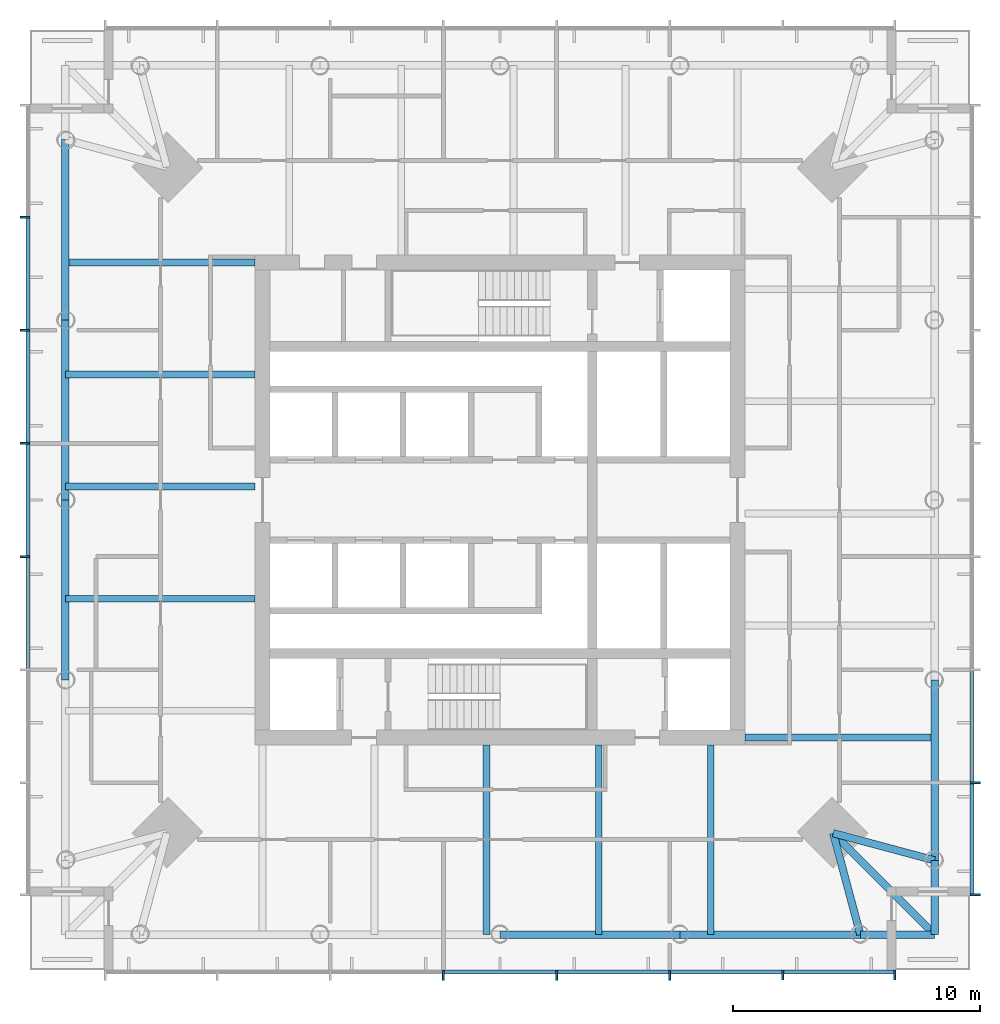
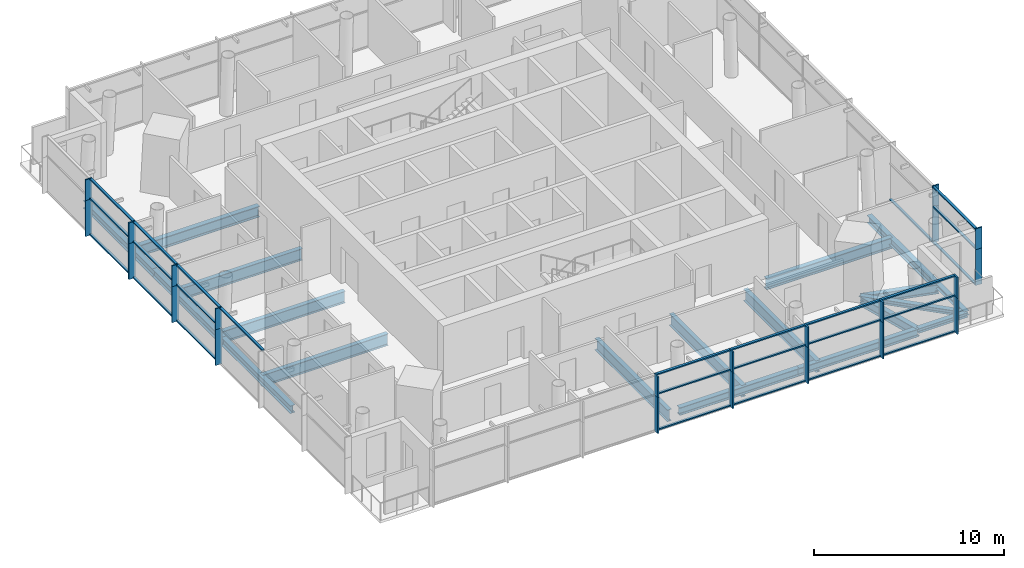
# One storey, part 2 of 10: 48 members, 19 beams, 6 elements without a shape of their own.
"""IFC4 building model written with IfcOpenShell, lengths in metres."""

from ifc_helpers import new_model, si_unit, direction, frame, origin, origin_2d, place, context, subcontext, project, spatial, rectangle, i_section, extrude, material, material_profile, profile_set, type_object, element, aggregate, save


model = new_model("IFC4")

# Units and contexts
model_context = context("Model", 3, precision=1e-05, world=origin(), true_north=direction((0.0, 1.0)))
body_context = subcontext(model_context, "Body", "Model", "MODEL_VIEW")
ifc_project = project(units=[si_unit("LENGTHUNIT", "METRE"), si_unit("AREAUNIT", "SQUARE_METRE"), si_unit("VOLUMEUNIT", "CUBIC_METRE"), si_unit("PLANEANGLEUNIT", "RADIAN"), si_unit("MASSUNIT", "GRAM", prefix="KILO")], contexts=[model_context])

# Site, building, storey
site_placement = place(None, origin())
site = spatial("IfcSite", under=ifc_project, at=site_placement, CompositionType="ELEMENT")
building_placement = place(site_placement, origin())
building = spatial("IfcBuilding", under=site, at=building_placement, Name="Ostroluk Exchange", CompositionType="ELEMENT")
storey_placement = place(building_placement, frame((0.0, 0.0, 222.39990234375)))
storey = spatial("IfcBuildingStorey", under=building, at=storey_placement, Name="L57", CompositionType="ELEMENT", Elevation=222.39990234375)

# Beams
ifc_material_1 = material(Name="Steel S355", Category="steel")
ifc_material_profile_1 = material_profile(ifc_material_1, i_section(OverallWidth=0.300048828125, OverallDepth=0.300048828125, WebThickness=0.010986328125, FlangeThickness=0.01904296875, FilletRadius=0.027099609375, at=origin_2d()), Name="HEB 300")
ifc_profile_set_1 = profile_set([ifc_material_profile_1], Name="Steel S355")
beam_type_1 = type_object("IfcBeamType", Name="Balcony beam HEB 300", PredefinedType="BEAM", material=ifc_profile_set_1)
for number, where, z_axis, x_axis, name in (
    (1, (59.564208984375, 28.435791015625, -0.329833984375), (1.0, 0.0, 0.0), (0.0, 1.0, 0.0), "T1 south balcony beam a"),
    (2, (62.564208984375, 31.435791015625, -0.329833984375), (0.0, -1.0, 0.0), (1.0, 0.0, 0.0), "T1 south balcony beam b"),
):
    element("IfcBeam", number, at=place(storey_placement, frame(where, z_axis=z_axis, x_axis=x_axis)), inside=storey, type_object=beam_type_1, Name=name, PredefinedType="BEAM", context=body_context, shape_type="SweptSolid", body=[
        extrude(i_section(OverallWidth=0.300048828125, OverallDepth=0.300048828125, WebThickness=0.010986328125, FlangeThickness=0.01904296875, FilletRadius=0.027099609375, at=origin_2d()), origin(), (0.0, 0.0, 1.0), 3.0),
    ])
beam_1_placement = place(storey_placement, frame((58.46435546875, 32.53564453125, -0.329833984375), z_axis=(0.707106781187, -0.707106781187, 0.0), x_axis=(0.707106781187, 0.707106781187, 0.0)))
element("IfcBeam", 3, at=beam_1_placement, inside=storey, type_object=beam_type_1, Name="T1 south balcony beam c", PredefinedType="BEAM", context=body_context, shape_type="SweptSolid", body=[
    extrude(i_section(OverallWidth=0.300048828125, OverallDepth=0.300048828125, WebThickness=0.010986328125, FlangeThickness=0.01904296875, FilletRadius=0.027099609375, at=origin_2d()), origin(), (0.0, 0.0, 1.0), 5.798095703125),
])
ifc_material_2 = material(Name="Steel S355", Category="steel")
ifc_material_profile_2 = material_profile(ifc_material_2, i_section(OverallWidth=0.300048828125, OverallDepth=0.60009765625, WebThickness=0.015380859375, FlangeThickness=0.030029296875, FilletRadius=0.027099609375, at=origin_2d()), Name="HEB 600")
ifc_profile_set_2 = profile_set([ifc_material_profile_2], Name="Steel S355")
beam_type_2 = type_object("IfcBeamType", Name="Corner edge beam HEB 600", PredefinedType="SPANDREL", material=ifc_profile_set_2)
for number, where, z_axis, x_axis, name in (
    (4, (58.46435546875, 32.53564453125, -0.47998046875), (0.259105011038, -0.965849156574, 0.0), (0.965849156574, 0.259105011038, 0.0), "T1 south corner edge beam a"),
    (5, (58.46435546875, 32.53564453125, -0.47998046875), (0.965849156574, -0.259105011038, 0.0), (0.259105011038, 0.965849156574, 0.0), "T1 south corner edge beam b"),
):
    element("IfcBeam", number, at=place(storey_placement, frame(where, z_axis=z_axis, x_axis=x_axis)), inside=storey, type_object=beam_type_2, Name=name, PredefinedType="SPANDREL", context=body_context, shape_type="SweptSolid", body=[
        extrude(i_section(OverallWidth=0.300048828125, OverallDepth=0.60009765625, WebThickness=0.015380859375, FlangeThickness=0.030029296875, FilletRadius=0.027099609375, at=origin_2d()), origin(), (0.0, 0.0, 1.0), 4.244873046875),
    ])
ifc_material_3 = material(Name="Steel S355", Category="steel")
ifc_material_profile_3 = material_profile(ifc_material_3, i_section(OverallWidth=0.264892578125, OverallDepth=0.7529296875, WebThickness=0.01318359375, FlangeThickness=0.01708984375, FilletRadius=0.01708984375, at=origin_2d()), Name="IPE 750x147")
ifc_profile_set_3 = profile_set([ifc_material_profile_3], Name="Steel S355")
beam_type_3 = type_object("IfcBeamType", Name="Floor beam IPE 750x147", PredefinedType="BEAM", material=ifc_profile_set_3)
for number, where, z_axis, x_axis, name in (
    (6, (35.10009765625, 51.072509765625, -0.556396484375), (-1.0, 0.0, 0.0), (0.0, -1.0, 0.0), "T1 west floor beam 1"),
    (7, (35.10009765625, 46.545166015625, -0.556396484375), (-1.0, 0.0, 0.0), (0.0, -1.0, 0.0), "T1 west floor beam 2"),
    (8, (35.10009765625, 42.017822265625, -0.556396484375), (-1.0, 0.0, 0.0), (0.0, -1.0, 0.0), "T1 west floor beam 3"),
    (9, (44.454833984375, 36.10009765625, -0.556396484375), (0.0, -1.0, 0.0), (1.0, 0.0, 0.0), "T1 south floor beam 2"),
    (10, (48.982177734375, 36.10009765625, -0.556396484375), (0.0, -1.0, 0.0), (1.0, 0.0, 0.0), "T1 south floor beam 3"),
    (11, (53.509521484375, 36.10009765625, -0.556396484375), (0.0, -1.0, 0.0), (1.0, 0.0, 0.0), "T1 south floor beam 4"),
):
    element("IfcBeam", number, at=place(storey_placement, frame(where, z_axis=z_axis, x_axis=x_axis)), inside=storey, type_object=beam_type_3, Name=name, PredefinedType="BEAM", context=body_context, shape_type="SweptSolid", body=[
        extrude(i_section(OverallWidth=0.264892578125, OverallDepth=0.7529296875, WebThickness=0.01318359375, FlangeThickness=0.01708984375, FilletRadius=0.01708984375, at=origin_2d()), origin(), (0.0, 0.0, 1.0), 7.664306640625),
    ])
ifc_material_4 = material(Name="Steel S355", Category="steel")
ifc_material_profile_4 = material_profile(ifc_material_4, i_section(OverallWidth=0.300048828125, OverallDepth=0.699951171875, WebThickness=0.01708984375, FlangeThickness=0.031982421875, FilletRadius=0.027099609375, at=origin_2d()), Name="HEB 700")
ifc_profile_set_4 = profile_set([ifc_material_profile_4], Name="Steel S355")
beam_type_4 = type_object("IfcBeamType", Name="Girder HEB 700", PredefinedType="BEAM", material=ifc_profile_set_4)
for number, where, z_axis, x_axis, name in (
    (12, (35.10009765625, 55.60009765625, -0.52978515625), (-1.0, 0.0, 0.0), (0.0, -1.0, 0.0), "T1 north girder"),
    (13, (54.89990234375, 36.39990234375, -0.52978515625), (1.0, 0.0, 0.0), (0.0, 1.0, 0.0), "T1 south girder"),
):
    element("IfcBeam", number, at=place(storey_placement, frame(where, z_axis=z_axis, x_axis=x_axis)), inside=storey, type_object=beam_type_4, Name=name, PredefinedType="BEAM", context=body_context, shape_type="SweptSolid", body=[
        extrude(i_section(OverallWidth=0.300048828125, OverallDepth=0.699951171875, WebThickness=0.01708984375, FlangeThickness=0.031982421875, FilletRadius=0.027099609375, at=origin_2d()), origin(), (0.0, 0.0, 1.0), 7.664306640625),
    ])
ifc_material_5 = material(Name="Steel S355", Category="steel")
ifc_material_profile_5 = material_profile(ifc_material_5, i_section(OverallWidth=0.300048828125, OverallDepth=0.5, WebThickness=0.014404296875, FlangeThickness=0.028076171875, FilletRadius=0.027099609375, at=origin_2d()), Name="HEB 500")
ifc_profile_set_5 = profile_set([ifc_material_profile_5], Name="Steel S355")
beam_type_5 = type_object("IfcBeamType", Name="Moment-connected edge beam HEB 500", PredefinedType="SPANDREL", material=ifc_profile_set_5)
for number, where, z_axis, x_axis, name in (
    (14, (62.564208984375, 31.435791015625, -0.429931640625), (0.0, 1.0, 0.0), (-1.0, 0.0, 0.0), "T1 east edge beam 1"),
    (15, (27.435791015625, 60.564208984375, -0.429931640625), (0.0, -1.0, 0.0), (1.0, 0.0, 0.0), "T1 west edge beam 1"),
):
    element("IfcBeam", number, at=place(storey_placement, frame(where, z_axis=z_axis, x_axis=x_axis)), inside=storey, type_object=beam_type_5, Name=name, PredefinedType="SPANDREL", context=body_context, shape_type="SweptSolid", body=[
        extrude(i_section(OverallWidth=0.300048828125, OverallDepth=0.5, WebThickness=0.014404296875, FlangeThickness=0.028076171875, FilletRadius=0.027099609375, at=origin_2d()), origin(), (0.0, 0.0, 1.0), 7.281982421875),
    ])
for number, where, z_axis, x_axis, name in (
    (16, (27.435791015625, 53.2822265625, -0.429931640625), (0.0, -1.0, 0.0), (1.0, 0.0, 0.0), "T1 west edge beam 2"),
    (17, (27.435791015625, 46.0, -0.429931640625), (0.0, -1.0, 0.0), (1.0, 0.0, 0.0), "T1 west edge beam 3"),
    (18, (45.0, 28.435791015625, -0.429931640625), (1.0, 0.0, 0.0), (0.0, 1.0, 0.0), "T1 south edge beam 3"),
):
    element("IfcBeam", number, at=place(storey_placement, frame(where, z_axis=z_axis, x_axis=x_axis)), inside=storey, type_object=beam_type_5, Name=name, PredefinedType="SPANDREL", context=body_context, shape_type="SweptSolid", body=[
        extrude(i_section(OverallWidth=0.300048828125, OverallDepth=0.5, WebThickness=0.014404296875, FlangeThickness=0.028076171875, FilletRadius=0.027099609375, at=origin_2d()), origin(), (0.0, 0.0, 1.0), 7.2822265625),
    ])
beam_2_placement = place(storey_placement, frame((52.2822265625, 28.435791015625, -0.429931640625), z_axis=(1.0, 0.0, 0.0), x_axis=(0.0, 1.0, 0.0)))
element("IfcBeam", 19, at=beam_2_placement, inside=storey, type_object=beam_type_5, Name="T1 south edge beam 4", PredefinedType="SPANDREL", context=body_context, shape_type="SweptSolid", body=[
    extrude(i_section(OverallWidth=0.300048828125, OverallDepth=0.5, WebThickness=0.014404296875, FlangeThickness=0.028076171875, FilletRadius=0.027099609375, at=origin_2d()), origin(), (0.0, 0.0, 1.0), 7.281982421875),
])

# Curtain wall, members
ifc_material_6 = material(Name="Laminated clear glass", Category="glass")
curtain_wall_type = type_object("IfcCurtainWallType", Name="Office tower facade", PredefinedType="USERDEFINED", material=ifc_material_6)
curtain_wall_1_placement = place(storey_placement, origin())
curtain_wall_1 = element("IfcCurtainWall", 20, at=curtain_wall_1_placement, inside=storey, type_object=curtain_wall_type, Name="Office tower south facade L57", ObjectType="UNITISED CURTAIN WALL", PredefinedType="USERDEFINED")
ifc_material_7 = material(Name="Aluminium mullion", Category="aluminium")
ifc_material_profile_6 = material_profile(ifc_material_7, rectangle(XDim=0.14990234375, YDim=0.080078125, at=origin_2d()), Name="Sill transom 80 x 150")
ifc_profile_set_6 = profile_set([ifc_material_profile_6], Name="Aluminium mullion")
member_type_1 = type_object("IfcMemberType", Name="Sill transom 80 x 150", PredefinedType="USERDEFINED", material=ifc_profile_set_6)
member_1_placement = place(storey_placement, frame((42.75439453125, 26.925048828125, 0.0400390625), z_axis=(1.0, 0.0, 0.0), x_axis=(0.0, 1.0, 0.0)))
member_1 = element("IfcMember", 21, at=member_1_placement, type_object=member_type_1, Name="CW-O1 transom 4.1", ObjectType="TRANSOM", PredefinedType="USERDEFINED", context=body_context, shape_type="SweptSolid", body=[
    extrude(rectangle(XDim=0.14990234375, YDim=0.080078125, at=origin_2d()), origin(), (0.0, 0.0, 1.0), 4.4912109375),
])
member_2_placement = place(storey_placement, frame((47.32568359375, 26.925048828125, 0.0400390625), z_axis=(1.0, 0.0, 0.0), x_axis=(0.0, 1.0, 0.0)))
member_2 = element("IfcMember", 22, at=member_2_placement, type_object=member_type_1, Name="CW-O1 transom 5.1", ObjectType="TRANSOM", PredefinedType="USERDEFINED", context=body_context, shape_type="SweptSolid", body=[
    extrude(rectangle(XDim=0.14990234375, YDim=0.080078125, at=origin_2d()), origin(), (0.0, 0.0, 1.0), 4.491455078125),
])
member_3_placement = place(storey_placement, frame((51.897216796875, 26.925048828125, 0.0400390625), z_axis=(1.0, 0.0, 0.0), x_axis=(0.0, 1.0, 0.0)))
member_3 = element("IfcMember", 23, at=member_3_placement, type_object=member_type_1, Name="CW-O1 transom 6.1", ObjectType="TRANSOM", PredefinedType="USERDEFINED", context=body_context, shape_type="SweptSolid", body=[
    extrude(rectangle(XDim=0.14990234375, YDim=0.080078125, at=origin_2d()), origin(), (0.0, 0.0, 1.0), 4.491455078125),
])
member_4_placement = place(storey_placement, frame((56.468505859375, 26.925048828125, 0.0400390625), z_axis=(1.0, 0.0, 0.0), x_axis=(0.0, 1.0, 0.0)))
member_4 = element("IfcMember", 24, at=member_4_placement, type_object=member_type_1, Name="CW-O1 transom 7.1", ObjectType="TRANSOM", PredefinedType="USERDEFINED", context=body_context, shape_type="SweptSolid", body=[
    extrude(rectangle(XDim=0.14990234375, YDim=0.080078125, at=origin_2d()), origin(), (0.0, 0.0, 1.0), 4.451416015625),
])

curtain_wall_2_placement = place(storey_placement, origin())
curtain_wall_2 = element("IfcCurtainWall", 25, at=curtain_wall_2_placement, inside=storey, type_object=curtain_wall_type, Name="Office tower south spandrel L57", ObjectType="UNITISED CURTAIN WALL", PredefinedType="USERDEFINED")
member_5_placement = place(storey_placement, frame((42.75439453125, 26.925048828125, 2.353515625), z_axis=(1.0, 0.0, 0.0), x_axis=(0.0, 1.0, 0.0)))
member_5 = element("IfcMember", 26, at=member_5_placement, type_object=member_type_1, Name="CW-O1 transom 4.1", ObjectType="TRANSOM", PredefinedType="USERDEFINED", context=body_context, shape_type="SweptSolid", body=[
    extrude(rectangle(XDim=0.14990234375, YDim=0.080078125, at=origin_2d()), origin(), (0.0, 0.0, 1.0), 4.4912109375),
])
member_6_placement = place(storey_placement, frame((42.75439453125, 26.925048828125, 3.610107421875), z_axis=(1.0, 0.0, 0.0), x_axis=(0.0, 1.0, 0.0)))
member_6 = element("IfcMember", 27, at=member_6_placement, type_object=member_type_1, Name="CW-O1 transom 4.2", ObjectType="TRANSOM", PredefinedType="USERDEFINED", context=body_context, shape_type="SweptSolid", body=[
    extrude(rectangle(XDim=0.14990234375, YDim=0.080078125, at=origin_2d()), origin(), (0.0, 0.0, 1.0), 4.4912109375),
])
member_7_placement = place(storey_placement, frame((47.32568359375, 26.925048828125, 2.353515625), z_axis=(1.0, 0.0, 0.0), x_axis=(0.0, 1.0, 0.0)))
member_7 = element("IfcMember", 28, at=member_7_placement, type_object=member_type_1, Name="CW-O1 transom 5.1", ObjectType="TRANSOM", PredefinedType="USERDEFINED", context=body_context, shape_type="SweptSolid", body=[
    extrude(rectangle(XDim=0.14990234375, YDim=0.080078125, at=origin_2d()), origin(), (0.0, 0.0, 1.0), 4.491455078125),
])
member_8_placement = place(storey_placement, frame((47.32568359375, 26.925048828125, 3.610107421875), z_axis=(1.0, 0.0, 0.0), x_axis=(0.0, 1.0, 0.0)))
member_8 = element("IfcMember", 29, at=member_8_placement, type_object=member_type_1, Name="CW-O1 transom 5.2", ObjectType="TRANSOM", PredefinedType="USERDEFINED", context=body_context, shape_type="SweptSolid", body=[
    extrude(rectangle(XDim=0.14990234375, YDim=0.080078125, at=origin_2d()), origin(), (0.0, 0.0, 1.0), 4.491455078125),
])
member_9_placement = place(storey_placement, frame((51.897216796875, 26.925048828125, 2.353515625), z_axis=(1.0, 0.0, 0.0), x_axis=(0.0, 1.0, 0.0)))
member_9 = element("IfcMember", 30, at=member_9_placement, type_object=member_type_1, Name="CW-O1 transom 6.1", ObjectType="TRANSOM", PredefinedType="USERDEFINED", context=body_context, shape_type="SweptSolid", body=[
    extrude(rectangle(XDim=0.14990234375, YDim=0.080078125, at=origin_2d()), origin(), (0.0, 0.0, 1.0), 4.491455078125),
])
member_10_placement = place(storey_placement, frame((51.897216796875, 26.925048828125, 3.610107421875), z_axis=(1.0, 0.0, 0.0), x_axis=(0.0, 1.0, 0.0)))
member_10 = element("IfcMember", 31, at=member_10_placement, type_object=member_type_1, Name="CW-O1 transom 6.2", ObjectType="TRANSOM", PredefinedType="USERDEFINED", context=body_context, shape_type="SweptSolid", body=[
    extrude(rectangle(XDim=0.14990234375, YDim=0.080078125, at=origin_2d()), origin(), (0.0, 0.0, 1.0), 4.491455078125),
])
member_11_placement = place(storey_placement, frame((56.468505859375, 26.925048828125, 2.353515625), z_axis=(1.0, 0.0, 0.0), x_axis=(0.0, 1.0, 0.0)))
member_11 = element("IfcMember", 32, at=member_11_placement, type_object=member_type_1, Name="CW-O1 transom 7.1", ObjectType="TRANSOM", PredefinedType="USERDEFINED", context=body_context, shape_type="SweptSolid", body=[
    extrude(rectangle(XDim=0.14990234375, YDim=0.080078125, at=origin_2d()), origin(), (0.0, 0.0, 1.0), 4.451416015625),
])
member_12_placement = place(storey_placement, frame((56.468505859375, 26.925048828125, 3.610107421875), z_axis=(1.0, 0.0, 0.0), x_axis=(0.0, 1.0, 0.0)))
member_12 = element("IfcMember", 33, at=member_12_placement, type_object=member_type_1, Name="CW-O1 transom 7.2", ObjectType="TRANSOM", PredefinedType="USERDEFINED", context=body_context, shape_type="SweptSolid", body=[
    extrude(rectangle(XDim=0.14990234375, YDim=0.080078125, at=origin_2d()), origin(), (0.0, 0.0, 1.0), 4.451416015625),
])

curtain_wall_3_placement = place(storey_placement, origin())
curtain_wall_3 = element("IfcCurtainWall", 34, at=curtain_wall_3_placement, inside=storey, type_object=curtain_wall_type, Name="Office tower east facade L57", ObjectType="UNITISED CURTAIN WALL", PredefinedType="USERDEFINED")
member_13_placement = place(storey_placement, frame((64.074951171875, 30.080078125, 0.0400390625), z_axis=(0.0, 1.0, 0.0), x_axis=(-1.0, 0.0, 0.0)))
member_13 = element("IfcMember", 35, at=member_13_placement, type_object=member_type_1, Name="CW-O1 transom 1.1", ObjectType="TRANSOM", PredefinedType="USERDEFINED", context=body_context, shape_type="SweptSolid", body=[
    extrude(rectangle(XDim=0.14990234375, YDim=0.080078125, at=origin_2d()), origin(), (0.0, 0.0, 1.0), 4.451416015625),
])
member_14_placement = place(storey_placement, frame((64.074951171875, 34.611328125, 0.0400390625), z_axis=(0.0, 1.0, 0.0), x_axis=(-1.0, 0.0, 0.0)))
member_14 = element("IfcMember", 36, at=member_14_placement, type_object=member_type_1, Name="CW-O1 transom 2.1", ObjectType="TRANSOM", PredefinedType="USERDEFINED", context=body_context, shape_type="SweptSolid", body=[
    extrude(rectangle(XDim=0.14990234375, YDim=0.080078125, at=origin_2d()), origin(), (0.0, 0.0, 1.0), 4.491455078125),
])

curtain_wall_4_placement = place(storey_placement, origin())
curtain_wall_4 = element("IfcCurtainWall", 37, at=curtain_wall_4_placement, inside=storey, type_object=curtain_wall_type, Name="Office tower east spandrel L57", ObjectType="UNITISED CURTAIN WALL", PredefinedType="USERDEFINED")
member_15_placement = place(storey_placement, frame((64.074951171875, 30.080078125, 2.353515625), z_axis=(0.0, 1.0, 0.0), x_axis=(-1.0, 0.0, 0.0)))
member_15 = element("IfcMember", 38, at=member_15_placement, type_object=member_type_1, Name="CW-O1 transom 1.1", ObjectType="TRANSOM", PredefinedType="USERDEFINED", context=body_context, shape_type="SweptSolid", body=[
    extrude(rectangle(XDim=0.14990234375, YDim=0.080078125, at=origin_2d()), origin(), (0.0, 0.0, 1.0), 4.451416015625),
])
member_16_placement = place(storey_placement, frame((64.074951171875, 30.080078125, 3.610107421875), z_axis=(0.0, 1.0, 0.0), x_axis=(-1.0, 0.0, 0.0)))
member_16 = element("IfcMember", 39, at=member_16_placement, type_object=member_type_1, Name="CW-O1 transom 1.2", ObjectType="TRANSOM", PredefinedType="USERDEFINED", context=body_context, shape_type="SweptSolid", body=[
    extrude(rectangle(XDim=0.14990234375, YDim=0.080078125, at=origin_2d()), origin(), (0.0, 0.0, 1.0), 4.451416015625),
])

curtain_wall_5_placement = place(storey_placement, origin())
curtain_wall_5 = element("IfcCurtainWall", 40, at=curtain_wall_5_placement, inside=storey, type_object=curtain_wall_type, Name="Office tower west facade L57", ObjectType="UNITISED CURTAIN WALL", PredefinedType="USERDEFINED")
member_17_placement = place(storey_placement, frame((25.925048828125, 57.388671875, 0.0400390625), z_axis=(0.0, -1.0, 0.0), x_axis=(1.0, 0.0, 0.0)))
member_17 = element("IfcMember", 41, at=member_17_placement, type_object=member_type_1, Name="CW-O1 transom 2.1", ObjectType="TRANSOM", PredefinedType="USERDEFINED", context=body_context, shape_type="SweptSolid", body=[
    extrude(rectangle(XDim=0.14990234375, YDim=0.080078125, at=origin_2d()), origin(), (0.0, 0.0, 1.0), 4.491455078125),
])
member_18_placement = place(storey_placement, frame((25.925048828125, 52.817138671875, 0.0400390625), z_axis=(0.0, -1.0, 0.0), x_axis=(1.0, 0.0, 0.0)))
member_18 = element("IfcMember", 42, at=member_18_placement, type_object=member_type_1, Name="CW-O1 transom 3.1", ObjectType="TRANSOM", PredefinedType="USERDEFINED", context=body_context, shape_type="SweptSolid", body=[
    extrude(rectangle(XDim=0.14990234375, YDim=0.080078125, at=origin_2d()), origin(), (0.0, 0.0, 1.0), 4.491455078125),
])
member_19_placement = place(storey_placement, frame((25.925048828125, 48.24560546875, 0.0400390625), z_axis=(0.0, -1.0, 0.0), x_axis=(1.0, 0.0, 0.0)))
member_19 = element("IfcMember", 43, at=member_19_placement, type_object=member_type_1, Name="CW-O1 transom 4.1", ObjectType="TRANSOM", PredefinedType="USERDEFINED", context=body_context, shape_type="SweptSolid", body=[
    extrude(rectangle(XDim=0.14990234375, YDim=0.080078125, at=origin_2d()), origin(), (0.0, 0.0, 1.0), 4.4912109375),
])

curtain_wall_6_placement = place(storey_placement, origin())
curtain_wall_6 = element("IfcCurtainWall", 44, at=curtain_wall_6_placement, inside=storey, type_object=curtain_wall_type, Name="Office tower west spandrel L57", ObjectType="UNITISED CURTAIN WALL", PredefinedType="USERDEFINED")
member_20_placement = place(storey_placement, frame((25.925048828125, 57.388671875, 2.353515625), z_axis=(0.0, -1.0, 0.0), x_axis=(1.0, 0.0, 0.0)))
member_20 = element("IfcMember", 45, at=member_20_placement, type_object=member_type_1, Name="CW-O1 transom 2.1", ObjectType="TRANSOM", PredefinedType="USERDEFINED", context=body_context, shape_type="SweptSolid", body=[
    extrude(rectangle(XDim=0.14990234375, YDim=0.080078125, at=origin_2d()), origin(), (0.0, 0.0, 1.0), 4.491455078125),
])
member_21_placement = place(storey_placement, frame((25.925048828125, 57.388671875, 3.610107421875), z_axis=(0.0, -1.0, 0.0), x_axis=(1.0, 0.0, 0.0)))
member_21 = element("IfcMember", 46, at=member_21_placement, type_object=member_type_1, Name="CW-O1 transom 2.2", ObjectType="TRANSOM", PredefinedType="USERDEFINED", context=body_context, shape_type="SweptSolid", body=[
    extrude(rectangle(XDim=0.14990234375, YDim=0.080078125, at=origin_2d()), origin(), (0.0, 0.0, 1.0), 4.491455078125),
])
member_22_placement = place(storey_placement, frame((25.925048828125, 52.817138671875, 2.353515625), z_axis=(0.0, -1.0, 0.0), x_axis=(1.0, 0.0, 0.0)))
member_22 = element("IfcMember", 47, at=member_22_placement, type_object=member_type_1, Name="CW-O1 transom 3.1", ObjectType="TRANSOM", PredefinedType="USERDEFINED", context=body_context, shape_type="SweptSolid", body=[
    extrude(rectangle(XDim=0.14990234375, YDim=0.080078125, at=origin_2d()), origin(), (0.0, 0.0, 1.0), 4.491455078125),
])
member_23_placement = place(storey_placement, frame((25.925048828125, 52.817138671875, 3.610107421875), z_axis=(0.0, -1.0, 0.0), x_axis=(1.0, 0.0, 0.0)))
member_23 = element("IfcMember", 48, at=member_23_placement, type_object=member_type_1, Name="CW-O1 transom 3.2", ObjectType="TRANSOM", PredefinedType="USERDEFINED", context=body_context, shape_type="SweptSolid", body=[
    extrude(rectangle(XDim=0.14990234375, YDim=0.080078125, at=origin_2d()), origin(), (0.0, 0.0, 1.0), 4.491455078125),
])
member_24_placement = place(storey_placement, frame((25.925048828125, 48.24560546875, 2.353515625), z_axis=(0.0, -1.0, 0.0), x_axis=(1.0, 0.0, 0.0)))
member_24 = element("IfcMember", 49, at=member_24_placement, type_object=member_type_1, Name="CW-O1 transom 4.1", ObjectType="TRANSOM", PredefinedType="USERDEFINED", context=body_context, shape_type="SweptSolid", body=[
    extrude(rectangle(XDim=0.14990234375, YDim=0.080078125, at=origin_2d()), origin(), (0.0, 0.0, 1.0), 4.4912109375),
])
member_25_placement = place(storey_placement, frame((25.925048828125, 48.24560546875, 3.610107421875), z_axis=(0.0, -1.0, 0.0), x_axis=(1.0, 0.0, 0.0)))
member_25 = element("IfcMember", 50, at=member_25_placement, type_object=member_type_1, Name="CW-O1 transom 4.2", ObjectType="TRANSOM", PredefinedType="USERDEFINED", context=body_context, shape_type="SweptSolid", body=[
    extrude(rectangle(XDim=0.14990234375, YDim=0.080078125, at=origin_2d()), origin(), (0.0, 0.0, 1.0), 4.4912109375),
])
member_26_placement = place(storey_placement, frame((25.925048828125, 43.67431640625, 3.610107421875), z_axis=(0.0, -1.0, 0.0), x_axis=(1.0, 0.0, 0.0)))
member_26 = element("IfcMember", 51, at=member_26_placement, type_object=member_type_1, Name="CW-O1 transom 5.2", ObjectType="TRANSOM", PredefinedType="USERDEFINED", context=body_context, shape_type="SweptSolid", body=[
    extrude(rectangle(XDim=0.14990234375, YDim=0.080078125, at=origin_2d()), origin(), (0.0, 0.0, 1.0), 4.491455078125),
])

# Member
ifc_material_8 = material(Name="Aluminium mullion with limestone facing", Category="masonry")
ifc_material_profile_7 = material_profile(ifc_material_8, rectangle(XDim=0.39990234375, YDim=0.080078125, at=origin_2d()), Name="Tracery mullion 80 x 400")
ifc_profile_set_7 = profile_set([ifc_material_profile_7], Name="Aluminium mullion with limestone facing")
member_type_2 = type_object("IfcMemberType", Name="Tracery mullion 80 x 400", PredefinedType="MULLION", material=ifc_profile_set_7)
member_27_placement = place(storey_placement, frame((42.71435546875, 26.800048828125, 0.0), z_axis=(0.0, 0.0, 1.0), x_axis=(0.0, 1.0, 0.0)))
member_27 = element("IfcMember", 52, at=member_27_placement, type_object=member_type_2, Name="CW-O1 mullion 4", PredefinedType="MULLION", context=body_context, shape_type="SweptSolid", body=[
    extrude(rectangle(XDim=0.39990234375, YDim=0.080078125, at=origin_2d()), origin(), (0.0, 0.0, 1.0), 2.3134765625),
])

member_28_placement = place(storey_placement, frame((47.28564453125, 26.800048828125, 0.0), z_axis=(0.0, 0.0, 1.0), x_axis=(0.0, 1.0, 0.0)))
member_28 = element("IfcMember", 53, at=member_28_placement, type_object=member_type_2, Name="CW-O1 mullion 5", PredefinedType="MULLION", context=body_context, shape_type="SweptSolid", body=[
    extrude(rectangle(XDim=0.39990234375, YDim=0.080078125, at=origin_2d()), origin(), (0.0, 0.0, 1.0), 2.3134765625),
])

member_29_placement = place(storey_placement, frame((51.857177734375, 26.800048828125, 0.0), z_axis=(0.0, 0.0, 1.0), x_axis=(0.0, 1.0, 0.0)))
member_29 = element("IfcMember", 54, at=member_29_placement, type_object=member_type_2, Name="CW-O1 mullion 6", PredefinedType="MULLION", context=body_context, shape_type="SweptSolid", body=[
    extrude(rectangle(XDim=0.39990234375, YDim=0.080078125, at=origin_2d()), origin(), (0.0, 0.0, 1.0), 2.3134765625),
])

member_30_placement = place(storey_placement, frame((56.428466796875, 26.800048828125, 0.0), z_axis=(0.0, 0.0, 1.0), x_axis=(0.0, 1.0, 0.0)))
member_30 = element("IfcMember", 55, at=member_30_placement, type_object=member_type_2, Name="CW-O1 mullion 7", PredefinedType="MULLION", context=body_context, shape_type="SweptSolid", body=[
    extrude(rectangle(XDim=0.39990234375, YDim=0.080078125, at=origin_2d()), origin(), (0.0, 0.0, 1.0), 2.3134765625),
])

member_31_placement = place(storey_placement, frame((60.9599609375, 26.800048828125, 0.0), z_axis=(0.0, 0.0, 1.0), x_axis=(0.0, 1.0, 0.0)))
member_31 = element("IfcMember", 56, at=member_31_placement, type_object=member_type_2, Name="CW-O1 mullion 8", PredefinedType="MULLION", context=body_context, shape_type="SweptSolid", body=[
    extrude(rectangle(XDim=0.39990234375, YDim=0.080078125, at=origin_2d()), origin(), (0.0, 0.0, 1.0), 2.3134765625),
])

aggregate(curtain_wall_1, [member_27, member_28, member_29, member_30, member_31, member_1, member_2, member_3, member_4])

member_32_placement = place(storey_placement, frame((42.71435546875, 26.800048828125, 2.3134765625), z_axis=(0.0, 0.0, 1.0), x_axis=(0.0, 1.0, 0.0)))
member_32 = element("IfcMember", 57, at=member_32_placement, type_object=member_type_2, Name="CW-O1 mullion 4", PredefinedType="MULLION", context=body_context, shape_type="SweptSolid", body=[
    extrude(rectangle(XDim=0.39990234375, YDim=0.080078125, at=origin_2d()), origin(), (0.0, 0.0, 1.0), 1.336669921875),
])

member_33_placement = place(storey_placement, frame((47.28564453125, 26.800048828125, 2.3134765625), z_axis=(0.0, 0.0, 1.0), x_axis=(0.0, 1.0, 0.0)))
member_33 = element("IfcMember", 58, at=member_33_placement, type_object=member_type_2, Name="CW-O1 mullion 5", PredefinedType="MULLION", context=body_context, shape_type="SweptSolid", body=[
    extrude(rectangle(XDim=0.39990234375, YDim=0.080078125, at=origin_2d()), origin(), (0.0, 0.0, 1.0), 1.336669921875),
])

member_34_placement = place(storey_placement, frame((51.857177734375, 26.800048828125, 2.3134765625), z_axis=(0.0, 0.0, 1.0), x_axis=(0.0, 1.0, 0.0)))
member_34 = element("IfcMember", 59, at=member_34_placement, type_object=member_type_2, Name="CW-O1 mullion 6", PredefinedType="MULLION", context=body_context, shape_type="SweptSolid", body=[
    extrude(rectangle(XDim=0.39990234375, YDim=0.080078125, at=origin_2d()), origin(), (0.0, 0.0, 1.0), 1.336669921875),
])

member_35_placement = place(storey_placement, frame((56.428466796875, 26.800048828125, 2.3134765625), z_axis=(0.0, 0.0, 1.0), x_axis=(0.0, 1.0, 0.0)))
member_35 = element("IfcMember", 60, at=member_35_placement, type_object=member_type_2, Name="CW-O1 mullion 7", PredefinedType="MULLION", context=body_context, shape_type="SweptSolid", body=[
    extrude(rectangle(XDim=0.39990234375, YDim=0.080078125, at=origin_2d()), origin(), (0.0, 0.0, 1.0), 1.336669921875),
])

member_36_placement = place(storey_placement, frame((60.9599609375, 26.800048828125, 2.3134765625), z_axis=(0.0, 0.0, 1.0), x_axis=(0.0, 1.0, 0.0)))
member_36 = element("IfcMember", 61, at=member_36_placement, type_object=member_type_2, Name="CW-O1 mullion 8", PredefinedType="MULLION", context=body_context, shape_type="SweptSolid", body=[
    extrude(rectangle(XDim=0.39990234375, YDim=0.080078125, at=origin_2d()), origin(), (0.0, 0.0, 1.0), 1.336669921875),
])

aggregate(curtain_wall_2, [member_32, member_33, member_34, member_35, member_36, member_5, member_6, member_7, member_8, member_9, member_10, member_11, member_12])

member_37_placement = place(storey_placement, frame((64.199951171875, 30.0400390625, 0.0), z_axis=(0.0, 0.0, 1.0), x_axis=(-1.0, 0.0, 0.0)))
member_37 = element("IfcMember", 62, at=member_37_placement, type_object=member_type_2, Name="CW-O1 mullion 1", PredefinedType="MULLION", context=body_context, shape_type="SweptSolid", body=[
    extrude(rectangle(XDim=0.39990234375, YDim=0.080078125, at=origin_2d()), origin(), (0.0, 0.0, 1.0), 2.3134765625),
])

member_38_placement = place(storey_placement, frame((64.199951171875, 34.571533203125, 0.0), z_axis=(0.0, 0.0, 1.0), x_axis=(-1.0, 0.0, 0.0)))
member_38 = element("IfcMember", 63, at=member_38_placement, type_object=member_type_2, Name="CW-O1 mullion 2", PredefinedType="MULLION", context=body_context, shape_type="SweptSolid", body=[
    extrude(rectangle(XDim=0.39990234375, YDim=0.080078125, at=origin_2d()), origin(), (0.0, 0.0, 1.0), 2.3134765625),
])

aggregate(curtain_wall_3, [member_37, member_38, member_13, member_14])

member_39_placement = place(storey_placement, frame((64.199951171875, 30.0400390625, 2.3134765625), z_axis=(0.0, 0.0, 1.0), x_axis=(-1.0, 0.0, 0.0)))
member_39 = element("IfcMember", 64, at=member_39_placement, type_object=member_type_2, Name="CW-O1 mullion 1", PredefinedType="MULLION", context=body_context, shape_type="SweptSolid", body=[
    extrude(rectangle(XDim=0.39990234375, YDim=0.080078125, at=origin_2d()), origin(), (0.0, 0.0, 1.0), 1.336669921875),
])

member_40_placement = place(storey_placement, frame((64.199951171875, 34.571533203125, 2.3134765625), z_axis=(0.0, 0.0, 1.0), x_axis=(-1.0, 0.0, 0.0)))
member_40 = element("IfcMember", 65, at=member_40_placement, type_object=member_type_2, Name="CW-O1 mullion 2", PredefinedType="MULLION", context=body_context, shape_type="SweptSolid", body=[
    extrude(rectangle(XDim=0.39990234375, YDim=0.080078125, at=origin_2d()), origin(), (0.0, 0.0, 1.0), 1.336669921875),
])

aggregate(curtain_wall_4, [member_39, member_40, member_15, member_16])

member_41_placement = place(storey_placement, frame((25.800048828125, 57.428466796875, 0.0), z_axis=(0.0, 0.0, 1.0), x_axis=(1.0, 0.0, 0.0)))
member_41 = element("IfcMember", 66, at=member_41_placement, type_object=member_type_2, Name="CW-O1 mullion 2", PredefinedType="MULLION", context=body_context, shape_type="SweptSolid", body=[
    extrude(rectangle(XDim=0.39990234375, YDim=0.080078125, at=origin_2d()), origin(), (0.0, 0.0, 1.0), 2.3134765625),
])

member_42_placement = place(storey_placement, frame((25.800048828125, 52.857177734375, 0.0), z_axis=(0.0, 0.0, 1.0), x_axis=(1.0, 0.0, 0.0)))
member_42 = element("IfcMember", 67, at=member_42_placement, type_object=member_type_2, Name="CW-O1 mullion 3", PredefinedType="MULLION", context=body_context, shape_type="SweptSolid", body=[
    extrude(rectangle(XDim=0.39990234375, YDim=0.080078125, at=origin_2d()), origin(), (0.0, 0.0, 1.0), 2.3134765625),
])

member_43_placement = place(storey_placement, frame((25.800048828125, 48.28564453125, 0.0), z_axis=(0.0, 0.0, 1.0), x_axis=(1.0, 0.0, 0.0)))
member_43 = element("IfcMember", 68, at=member_43_placement, type_object=member_type_2, Name="CW-O1 mullion 4", PredefinedType="MULLION", context=body_context, shape_type="SweptSolid", body=[
    extrude(rectangle(XDim=0.39990234375, YDim=0.080078125, at=origin_2d()), origin(), (0.0, 0.0, 1.0), 2.3134765625),
])

member_44_placement = place(storey_placement, frame((25.800048828125, 43.71435546875, 0.0), z_axis=(0.0, 0.0, 1.0), x_axis=(1.0, 0.0, 0.0)))
member_44 = element("IfcMember", 69, at=member_44_placement, type_object=member_type_2, Name="CW-O1 mullion 5", PredefinedType="MULLION", context=body_context, shape_type="SweptSolid", body=[
    extrude(rectangle(XDim=0.39990234375, YDim=0.080078125, at=origin_2d()), origin(), (0.0, 0.0, 1.0), 2.3134765625),
])

aggregate(curtain_wall_5, [member_41, member_42, member_43, member_44, member_17, member_18, member_19])

member_45_placement = place(storey_placement, frame((25.800048828125, 57.428466796875, 2.3134765625), z_axis=(0.0, 0.0, 1.0), x_axis=(1.0, 0.0, 0.0)))
member_45 = element("IfcMember", 70, at=member_45_placement, type_object=member_type_2, Name="CW-O1 mullion 2", PredefinedType="MULLION", context=body_context, shape_type="SweptSolid", body=[
    extrude(rectangle(XDim=0.39990234375, YDim=0.080078125, at=origin_2d()), origin(), (0.0, 0.0, 1.0), 1.336669921875),
])

member_46_placement = place(storey_placement, frame((25.800048828125, 52.857177734375, 2.3134765625), z_axis=(0.0, 0.0, 1.0), x_axis=(1.0, 0.0, 0.0)))
member_46 = element("IfcMember", 71, at=member_46_placement, type_object=member_type_2, Name="CW-O1 mullion 3", PredefinedType="MULLION", context=body_context, shape_type="SweptSolid", body=[
    extrude(rectangle(XDim=0.39990234375, YDim=0.080078125, at=origin_2d()), origin(), (0.0, 0.0, 1.0), 1.336669921875),
])

member_47_placement = place(storey_placement, frame((25.800048828125, 48.28564453125, 2.3134765625), z_axis=(0.0, 0.0, 1.0), x_axis=(1.0, 0.0, 0.0)))
member_47 = element("IfcMember", 72, at=member_47_placement, type_object=member_type_2, Name="CW-O1 mullion 4", PredefinedType="MULLION", context=body_context, shape_type="SweptSolid", body=[
    extrude(rectangle(XDim=0.39990234375, YDim=0.080078125, at=origin_2d()), origin(), (0.0, 0.0, 1.0), 1.336669921875),
])

member_48_placement = place(storey_placement, frame((25.800048828125, 43.71435546875, 2.3134765625), z_axis=(0.0, 0.0, 1.0), x_axis=(1.0, 0.0, 0.0)))
member_48 = element("IfcMember", 73, at=member_48_placement, type_object=member_type_2, Name="CW-O1 mullion 5", PredefinedType="MULLION", context=body_context, shape_type="SweptSolid", body=[
    extrude(rectangle(XDim=0.39990234375, YDim=0.080078125, at=origin_2d()), origin(), (0.0, 0.0, 1.0), 1.336669921875),
])

aggregate(curtain_wall_6, [member_45, member_46, member_47, member_48, member_20, member_21, member_22, member_23, member_24, member_25, member_26])

save(model, "model.ifc")
